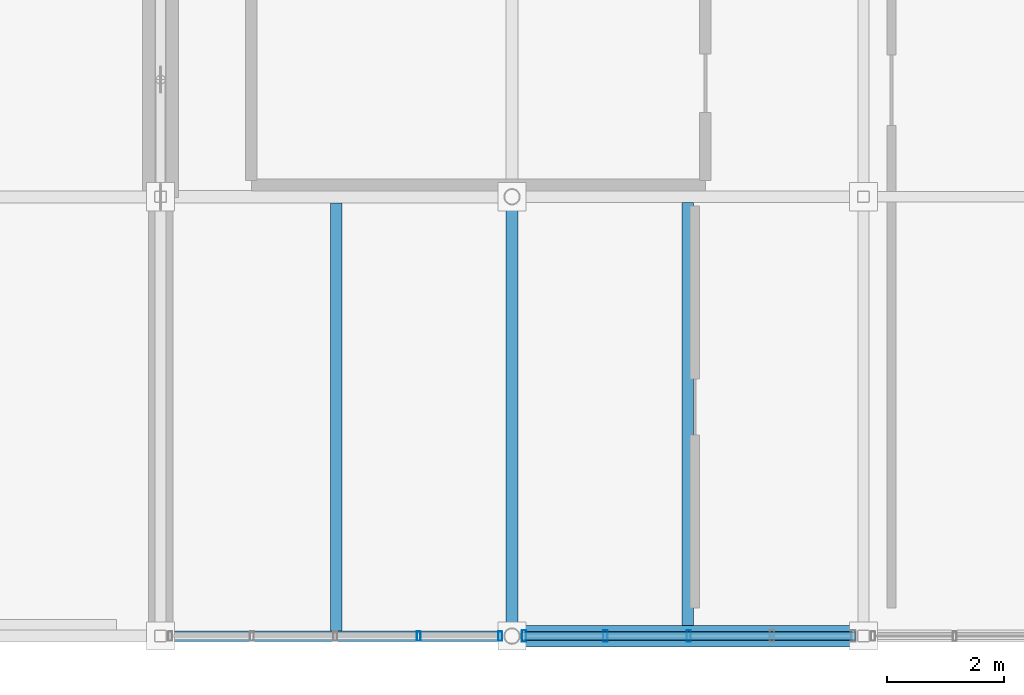
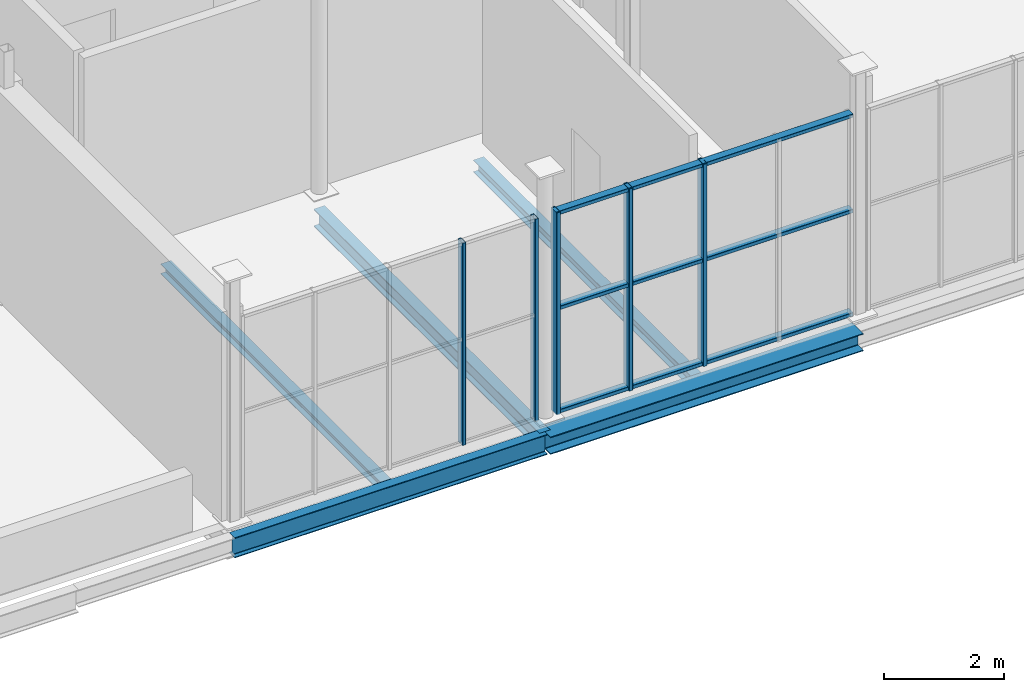
# One storey, part 7 of 27: 8 members, 5 beams, 2 elements without a shape of their own.
"""IFC4 building model written with IfcOpenShell, lengths in metres."""

from ifc_helpers import new_model, si_unit, direction, frame, origin, origin_2d, place, context, subcontext, project, spatial, hollow_rectangle, i_section, extrude, material, material_profile, profile_set, type_object, element, aggregate, save


model = new_model("IFC4")

# Units and contexts
model_context = context("Model", 3, precision=1e-05, world=origin(), true_north=direction((0.0, 1.0)))
body_context = subcontext(model_context, "Body", "Model", "MODEL_VIEW")
ifc_project = project(units=[si_unit("LENGTHUNIT", "METRE"), si_unit("AREAUNIT", "SQUARE_METRE"), si_unit("VOLUMEUNIT", "CUBIC_METRE"), si_unit("PLANEANGLEUNIT", "RADIAN"), si_unit("MASSUNIT", "GRAM", prefix="KILO")], contexts=[model_context])

# Site, building, storey
site_placement = place(None, origin())
site = spatial("IfcSite", under=ifc_project, at=site_placement, CompositionType="ELEMENT")
building_placement = place(site_placement, origin())
building = spatial("IfcBuilding", under=site, at=building_placement, Name="Verrall Gate Interchange", CompositionType="ELEMENT")
storey_placement = place(building_placement, frame((0.0, 0.0, 23.60009765625)))
storey = spatial("IfcBuildingStorey", under=building, at=storey_placement, Name="L06", CompositionType="ELEMENT", Elevation=23.60009765625)

# Beams
ifc_material_1 = material(Name="Structural Steel CSA G40.21 350W", Category="steel")
ifc_material_profile_1 = material_profile(ifc_material_1, i_section(OverallWidth=0.178955078125, OverallDepth=0.409912109375, WebThickness=0.0087890625, FlangeThickness=0.014404296875, FilletRadius=0.011962890625, at=origin_2d()), Name="W410x67")
ifc_profile_set_1 = profile_set([ifc_material_profile_1], Name="Structural Steel CSA G40.21 350W")
beam_type_1 = type_object("IfcBeamType", Name="B-12 Structural Beam W410x67", PredefinedType="BEAM", material=ifc_profile_set_1)
beam_1_placement = place(storey_placement, frame((6.0, 4.5, -0.53515625), z_axis=(1.0, 0.0, 0.0), x_axis=(0.0, 1.0, 0.0)))
element("IfcBeam", 1, at=beam_1_placement, inside=storey, type_object=beam_type_1, Name="L06 Girder BM-L06-3054 (B-12)", PredefinedType="BEAM", context=body_context, shape_type="SweptSolid", body=[
    extrude(i_section(OverallWidth=0.178955078125, OverallDepth=0.409912109375, WebThickness=0.0087890625, FlangeThickness=0.014404296875, FilletRadius=0.011962890625, at=origin_2d()), origin(), (0.0, 0.0, 1.0), 6.0),
])
ifc_material_2 = material(Name="Structural Steel CSA G40.21 350W", Category="steel")
ifc_material_profile_2 = material_profile(ifc_material_2, i_section(OverallWidth=0.368896484375, OverallDepth=0.35595703125, WebThickness=0.01123046875, FlangeThickness=0.01806640625, FilletRadius=0.014892578125, at=origin_2d()), Name="W360x134")
ifc_profile_set_2 = profile_set([ifc_material_profile_2], Name="Structural Steel CSA G40.21 350W")
beam_type_2 = type_object("IfcBeamType", Name="B-13 Structural Beam W360x134", PredefinedType="BEAM", material=ifc_profile_set_2)
beam_2_placement = place(storey_placement, frame((12.0, 4.5, -0.508056640625), z_axis=(1.0, 0.0, 0.0), x_axis=(0.0, 1.0, 0.0)))
element("IfcBeam", 2, at=beam_2_placement, inside=storey, type_object=beam_type_2, Name="L06 Girder BM-L06-3055 (B-13)", PredefinedType="BEAM", context=body_context, shape_type="SweptSolid", body=[
    extrude(i_section(OverallWidth=0.368896484375, OverallDepth=0.35595703125, WebThickness=0.01123046875, FlangeThickness=0.01806640625, FilletRadius=0.014892578125, at=origin_2d()), origin(), (0.0, 0.0, 1.0), 6.0),
])
ifc_material_3 = material(Name="Structural Steel CSA G40.21 350W", Category="steel")
ifc_material_profile_3 = material_profile(ifc_material_3, i_section(OverallWidth=0.205078125, OverallDepth=0.35400390625, WebThickness=0.009521484375, FlangeThickness=0.016845703125, FilletRadius=0.012939453125, at=origin_2d()), Name="W360x79")
ifc_profile_set_3 = profile_set([ifc_material_profile_3], Name="Structural Steel CSA G40.21 350W")
beam_type_3 = type_object("IfcBeamType", Name="B-14 Structural Beam W360x79", PredefinedType="BEAM", material=ifc_profile_set_3)
beam_3_placement = place(storey_placement, frame((12.0, 4.5, -0.507080078125), z_axis=(0.0, 1.0, 0.0), x_axis=(-1.0, 0.0, 0.0)))
element("IfcBeam", 3, at=beam_3_placement, inside=storey, type_object=beam_type_3, Name="L06 Girder BM-L06-3134 (B-14)", PredefinedType="BEAM", context=body_context, shape_type="SweptSolid", body=[
    extrude(i_section(OverallWidth=0.205078125, OverallDepth=0.35400390625, WebThickness=0.009521484375, FlangeThickness=0.016845703125, FilletRadius=0.012939453125, at=origin_2d()), origin(), (0.0, 0.0, 1.0), 7.5),
])

# Curtain wall, members
ifc_material_4 = material(Name="Thermally Broken Anodized Aluminium Curtain Wall Framing", Category="aluminium")
curtain_wall_type = type_object("IfcCurtainWallType", Name="CW-45 Unitized Curtain Wall 5698x4100", PredefinedType="NOTDEFINED", material=ifc_material_4)
curtain_wall_1_placement = place(storey_placement, origin())
curtain_wall_1 = element("IfcCurtainWall", 4, at=curtain_wall_1_placement, inside=storey, type_object=curtain_wall_type, Name="L06 Unitized Curtain Wall CW-L06-138", PredefinedType="NOTDEFINED")
ifc_material_5 = material(Name="Thermally Broken Anodized Aluminium Curtain Wall Framing", Category="aluminium")
ifc_material_profile_4 = material_profile(ifc_material_5, hollow_rectangle(XDim=0.06494140625, YDim=0.159912109375, WallThickness=0.00390625, InnerFilletRadius=0.00390625, OuterFilletRadius=0.008056640625, at=origin_2d()), Name="CWM160x65x4")
ifc_profile_set_4 = profile_set([ifc_material_profile_4], Name="Thermally Broken Anodized Aluminium Curtain Wall Framing")
member_type_1 = type_object("IfcMemberType", Name="CM-01 Curtain Mullion CWM160x65x4", PredefinedType="MULLION", material=ifc_profile_set_4)
member_1_placement = place(storey_placement, frame((10.406982421875, 4.5, 0.0), z_axis=(0.0, 0.0, 1.0), x_axis=(1.0, 0.0, 0.0)))
member_1 = element("IfcMember", 5, at=member_1_placement, type_object=member_type_1, Name="CW-L06-138 Mullion 4", PredefinedType="MULLION", context=body_context, shape_type="SweptSolid", body=[
    extrude(hollow_rectangle(XDim=0.06494140625, YDim=0.159912109375, WallThickness=0.00390625, InnerFilletRadius=0.00390625, OuterFilletRadius=0.008056640625, at=origin_2d()), origin(), (0.0, 0.0, 1.0), 4.099853515625),
])
member_2_placement = place(storey_placement, frame((11.798828125, 4.5, 0.0), z_axis=(0.0, 0.0, 1.0), x_axis=(1.0, 0.0, 0.0)))
member_2 = element("IfcMember", 6, at=member_2_placement, type_object=member_type_1, Name="CW-L06-138 Mullion 5", PredefinedType="MULLION", context=body_context, shape_type="SweptSolid", body=[
    extrude(hollow_rectangle(XDim=0.06494140625, YDim=0.159912109375, WallThickness=0.00390625, InnerFilletRadius=0.00390625, OuterFilletRadius=0.008056640625, at=origin_2d()), origin(), (0.0, 0.0, 1.0), 4.099853515625),
])
aggregate(curtain_wall_1, [member_1, member_2])

curtain_wall_2_placement = place(storey_placement, origin())
curtain_wall_2 = element("IfcCurtainWall", 7, at=curtain_wall_2_placement, inside=storey, type_object=curtain_wall_type, Name="L06 Unitized Curtain Wall CW-L06-139", PredefinedType="NOTDEFINED")
ifc_material_6 = material(Name="Thermally Broken Anodized Aluminium Curtain Wall Framing", Category="aluminium")
ifc_material_profile_5 = material_profile(ifc_material_6, hollow_rectangle(XDim=0.074951171875, YDim=0.199951171875, WallThickness=0.0048828125, InnerFilletRadius=0.0048828125, OuterFilletRadius=0.010009765625, at=origin_2d()), Name="CWM200x75x5")
ifc_profile_set_5 = profile_set([ifc_material_profile_5], Name="Thermally Broken Anodized Aluminium Curtain Wall Framing")
member_type_2 = type_object("IfcMemberType", Name="CM-02 Curtain Mullion CWM200x75x5", PredefinedType="MULLION", material=ifc_profile_set_5)
member_3_placement = place(storey_placement, frame((12.2060546875, 4.5, 0.0), z_axis=(0.0, 0.0, 1.0), x_axis=(1.0, 0.0, 0.0)))
member_3 = element("IfcMember", 8, at=member_3_placement, type_object=member_type_2, Name="CW-L06-139 Mullion 1", PredefinedType="MULLION", context=body_context, shape_type="SweptSolid", body=[
    extrude(hollow_rectangle(XDim=0.074951171875, YDim=0.199951171875, WallThickness=0.0048828125, InnerFilletRadius=0.0048828125, OuterFilletRadius=0.010009765625, at=origin_2d()), origin(), (0.0, 0.0, 1.0), 4.099853515625),
])
member_4_placement = place(storey_placement, frame((13.593017578125, 4.5, 0.0), z_axis=(0.0, 0.0, 1.0), x_axis=(1.0, 0.0, 0.0)))
member_4 = element("IfcMember", 9, at=member_4_placement, type_object=member_type_2, Name="CW-L06-139 Mullion 2", PredefinedType="MULLION", context=body_context, shape_type="SweptSolid", body=[
    extrude(hollow_rectangle(XDim=0.074951171875, YDim=0.199951171875, WallThickness=0.0048828125, InnerFilletRadius=0.0048828125, OuterFilletRadius=0.010009765625, at=origin_2d()), origin(), (0.0, 0.0, 1.0), 4.099853515625),
])
member_5_placement = place(storey_placement, frame((15.017578125, 4.5, 0.0), z_axis=(0.0, 0.0, 1.0), x_axis=(1.0, 0.0, 0.0)))
member_5 = element("IfcMember", 10, at=member_5_placement, type_object=member_type_2, Name="CW-L06-139 Mullion 3", PredefinedType="MULLION", context=body_context, shape_type="SweptSolid", body=[
    extrude(hollow_rectangle(XDim=0.074951171875, YDim=0.199951171875, WallThickness=0.0048828125, InnerFilletRadius=0.0048828125, OuterFilletRadius=0.010009765625, at=origin_2d()), origin(), (0.0, 0.0, 1.0), 4.099853515625),
])
ifc_material_7 = material(Name="Thermally Broken Anodized Aluminium Curtain Wall Framing", Category="aluminium")
ifc_material_profile_6 = material_profile(ifc_material_7, hollow_rectangle(XDim=0.14990234375, YDim=0.074951171875, WallThickness=0.00439453125, InnerFilletRadius=0.00439453125, OuterFilletRadius=0.009033203125, at=origin_2d()), Name="CWT150x75x4.5")
ifc_profile_set_6 = profile_set([ifc_material_profile_6], Name="Thermally Broken Anodized Aluminium Curtain Wall Framing")
member_type_3 = type_object("IfcMemberType", Name="CT-02 Curtain Transom CWT150x75x4.5", PredefinedType="USERDEFINED", material=ifc_profile_set_6)
member_6_placement = place(storey_placement, frame((12.168701171875, 4.5, 0.037353515625), z_axis=(1.0, 0.0, 0.0), x_axis=(0.0, 1.0, 0.0)))
member_6 = element("IfcMember", 11, at=member_6_placement, type_object=member_type_3, Name="CW-L06-139 Transom 1", ObjectType="TRANSOM", PredefinedType="USERDEFINED", context=body_context, shape_type="SweptSolid", body=[
    extrude(hollow_rectangle(XDim=0.14990234375, YDim=0.074951171875, WallThickness=0.00439453125, InnerFilletRadius=0.00439453125, OuterFilletRadius=0.009033203125, at=origin_2d()), origin(), (0.0, 0.0, 1.0), 5.69775390625),
])
member_7_placement = place(storey_placement, frame((12.168701171875, 4.5, 2.1318359375), z_axis=(1.0, 0.0, 0.0), x_axis=(0.0, 1.0, 0.0)))
member_7 = element("IfcMember", 12, at=member_7_placement, type_object=member_type_3, Name="CW-L06-139 Transom 2", ObjectType="TRANSOM", PredefinedType="USERDEFINED", context=body_context, shape_type="SweptSolid", body=[
    extrude(hollow_rectangle(XDim=0.14990234375, YDim=0.074951171875, WallThickness=0.00439453125, InnerFilletRadius=0.00439453125, OuterFilletRadius=0.009033203125, at=origin_2d()), origin(), (0.0, 0.0, 1.0), 5.69775390625),
])
member_8_placement = place(storey_placement, frame((12.168701171875, 4.5, 4.0625), z_axis=(1.0, 0.0, 0.0), x_axis=(0.0, 1.0, 0.0)))
member_8 = element("IfcMember", 13, at=member_8_placement, type_object=member_type_3, Name="CW-L06-139 Transom 3", ObjectType="TRANSOM", PredefinedType="USERDEFINED", context=body_context, shape_type="SweptSolid", body=[
    extrude(hollow_rectangle(XDim=0.14990234375, YDim=0.074951171875, WallThickness=0.00439453125, InnerFilletRadius=0.00439453125, OuterFilletRadius=0.009033203125, at=origin_2d()), origin(), (0.0, 0.0, 1.0), 5.69775390625),
])
aggregate(curtain_wall_2, [member_3, member_4, member_5, member_6, member_7, member_8])

# Beams
ifc_material_8 = material(Name="Structural Steel CSA G40.21 350W", Category="steel")
ifc_material_profile_7 = material_profile(ifc_material_8, i_section(OverallWidth=0.201904296875, OverallDepth=0.2470703125, WebThickness=0.00732421875, FlangeThickness=0.010986328125, FilletRadius=0.010986328125, at=origin_2d()), Name="W250x49")
ifc_profile_set_7 = profile_set([ifc_material_profile_7], Name="Structural Steel CSA G40.21 350W")
beam_type_4 = type_object("IfcBeamType", Name="J-06 Floor Joist W250x49", PredefinedType="JOIST", material=ifc_profile_set_7)
beam_4_placement = place(storey_placement, frame((15.0, 4.6845703125, -0.45361328125), z_axis=(0.0, 1.0, 0.0), x_axis=(-1.0, 0.0, 0.0)))
element("IfcBeam", 14, at=beam_4_placement, inside=storey, type_object=beam_type_4, Name="L06 Secondary Floor Joist JST-L06-3185", PredefinedType="JOIST", context=body_context, shape_type="SweptSolid", body=[
    extrude(i_section(OverallWidth=0.201904296875, OverallDepth=0.2470703125, WebThickness=0.00732421875, FlangeThickness=0.010986328125, FilletRadius=0.010986328125, at=origin_2d()), origin(), (0.0, 0.0, 1.0), 7.219482421875),
])
ifc_material_9 = material(Name="Structural Steel CSA G40.21 350W", Category="steel")
ifc_material_profile_8 = material_profile(ifc_material_9, i_section(OverallWidth=0.202880859375, OverallDepth=0.202880859375, WebThickness=0.007080078125, FlangeThickness=0.010986328125, FilletRadius=0.010009765625, at=origin_2d()), Name="W200x46")
ifc_profile_set_8 = profile_set([ifc_material_profile_8], Name="Structural Steel CSA G40.21 350W")
beam_type_5 = type_object("IfcBeamType", Name="J-07 Floor Joist W200x46", PredefinedType="JOIST", material=ifc_profile_set_8)
beam_5_placement = place(storey_placement, frame((9.0, 4.589599609375, -0.431640625), z_axis=(0.0, 1.0, 0.0), x_axis=(-1.0, 0.0, 0.0)))
element("IfcBeam", 15, at=beam_5_placement, inside=storey, type_object=beam_type_5, Name="L06 Secondary Floor Joist JST-L06-3184", PredefinedType="JOIST", context=body_context, shape_type="SweptSolid", body=[
    extrude(i_section(OverallWidth=0.202880859375, OverallDepth=0.202880859375, WebThickness=0.007080078125, FlangeThickness=0.010986328125, FilletRadius=0.010009765625, at=origin_2d()), origin(), (0.0, 0.0, 1.0), 7.304931640625),
])

save(model, "model.ifc")
